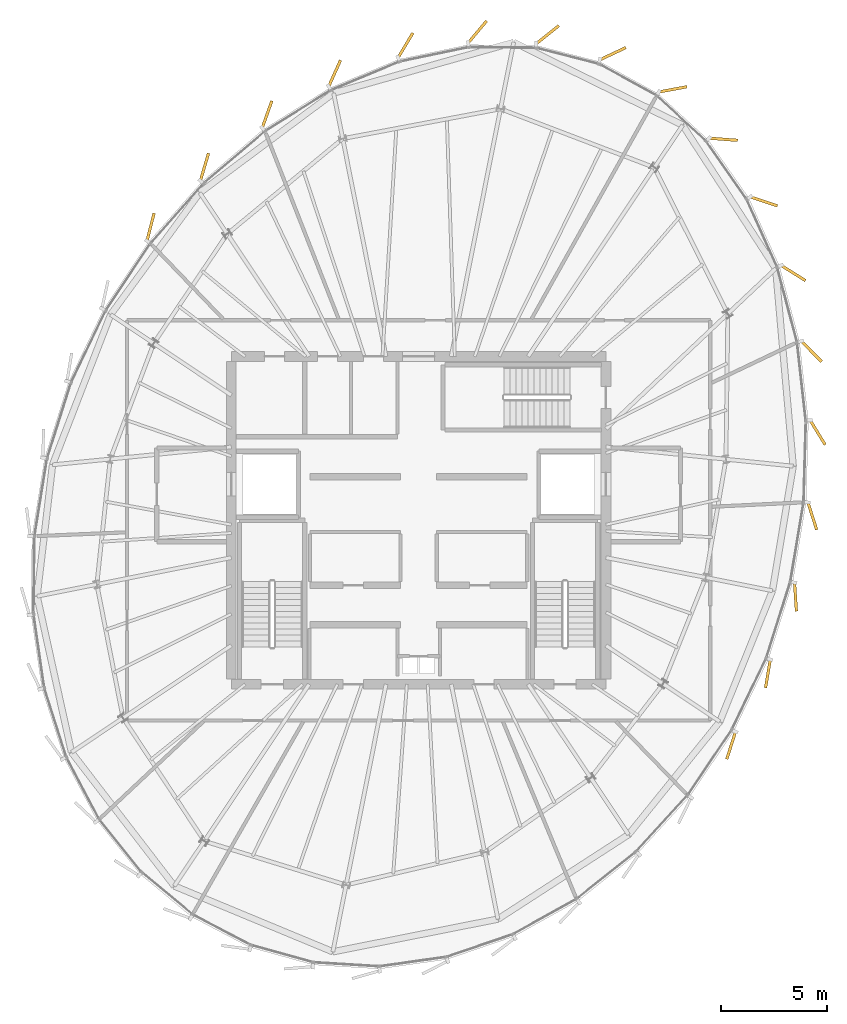
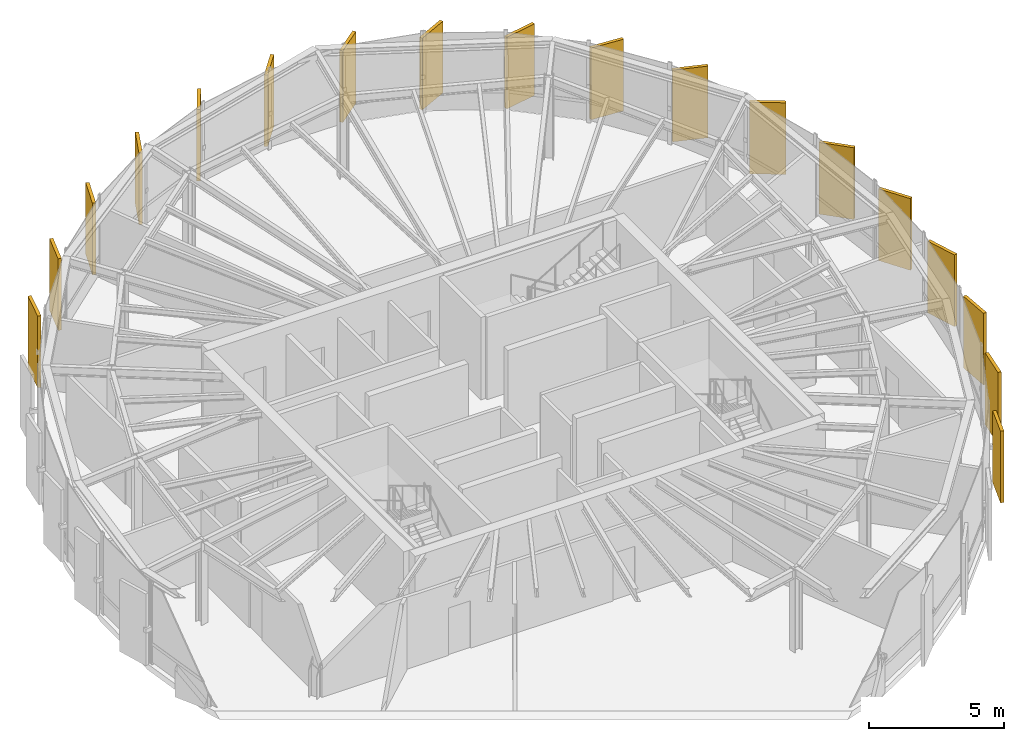
# One storey, part 27 of 27: 18 coverings.
"""IFC4 building model written with IfcOpenShell, lengths in metres."""

import ifcopenshell
import ifcopenshell.guid

model = None  # the IFC model being written
_history = None  # IfcOwnerHistory: only IFC2X3 demands one
_inside = {}  # id of a spatial element -> (the spatial element, [elements in it])
_under = {}  # id of a project, library or spatial element -> (it, [spatial elements below it])
_declared = {}  # id of a project -> (the project, [libraries it declares])
_typed = {}  # id of a type object -> (the type object, [elements of that type])
_made_of = {}  # id of a material, layer set ... -> (it, [elements and type objects made of it])


def new_model(schema):
    """Start an empty IFC model of exactly this schema.

    Asked for "IFC4X3", IfcOpenShell would pick the latest addendum, in which some entities
    have other attributes; the version numbers below select the first issue.
    IFC2X3 requires an IfcOwnerHistory on every rooted entity: one is made here for all.
    """
    global model, _history
    if schema == "IFC4X3":
        model = ifcopenshell.file(schema_version=(4, 3, 0, 0))
    else:
        model = ifcopenshell.file(schema=schema)
    _inside.clear()
    _under.clear()
    _declared.clear()
    _typed.clear()
    _made_of.clear()
    _history = None
    if model.schema == "IFC2X3":
        org = make("IfcOrganization", Name="unknown")
        user = make(
            "IfcPersonAndOrganization",
            ThePerson=make("IfcPerson", FamilyName="unknown"),
            TheOrganization=org,
        )
        app = make(
            "IfcApplication",
            ApplicationDeveloper=org,
            Version="unknown",
            ApplicationFullName="unknown",
            ApplicationIdentifier="unknown",
        )
        _history = make(
            "IfcOwnerHistory",
            OwningUser=user,
            OwningApplication=app,
            ChangeAction="ADDED",
            CreationDate=0,
        )
    return model


def make(cls, **values):
    """One entity of the class cls with the attributes given. An attribute that is None is left unset."""
    return model.create_entity(
        cls, **{name: value for name, value in values.items() if value is not None}
    )


def rooted(cls, **values):
    """An entity with a GlobalId (a new one), such as an element, a storey or a relation."""
    return make(cls, GlobalId=ifcopenshell.guid.new(), OwnerHistory=_history, **values)


def si_unit(unit_type, name, prefix=None):
    """IfcSIUnit, for example si_unit("LENGTHUNIT", "METRE", prefix="MILLI")."""
    return make("IfcSIUnit", UnitType=unit_type, Prefix=prefix, Name=name)


def assignment(units):
    """IfcUnitAssignment: the units of a project."""
    return None if units is None else make("IfcUnitAssignment", Units=units)


def point(xyz):
    """IfcCartesianPoint."""
    return None if xyz is None else make("IfcCartesianPoint", Coordinates=xyz)


def direction(xyz):
    """IfcDirection."""
    return None if xyz is None else make("IfcDirection", DirectionRatios=xyz)


def frame(location, z_axis=None, x_axis=None):
    """IfcAxis2Placement3D, a coordinate frame: its origin and axes. An axis left out is left unset."""
    return make(
        "IfcAxis2Placement3D",
        Location=point(location),
        Axis=direction(z_axis),
        RefDirection=direction(x_axis),
    )


def frame_2d(location, x_axis=None):
    """IfcAxis2Placement2D, a coordinate frame in the plane: its origin and x axis."""
    return make(
        "IfcAxis2Placement2D", Location=point(location), RefDirection=direction(x_axis)
    )


def origin():
    """The frame at (0, 0, 0) with its axes left unset."""
    return frame((0.0, 0.0, 0.0))


def origin_2d():
    """The frame at (0, 0) in the plane with its x axis left unset."""
    return frame_2d((0.0, 0.0))


def place(relative_to, where):
    """IfcLocalPlacement: puts the frame where relative to a parent placement (None: the world)."""
    return make(
        "IfcLocalPlacement", PlacementRelTo=relative_to, RelativePlacement=where
    )


def context(
    kind, dimensions, precision=None, world=None, true_north=None, identifier=None
):
    """IfcGeometricRepresentationContext, for example the 3D "Model" context."""
    return make(
        "IfcGeometricRepresentationContext",
        ContextIdentifier=identifier,
        ContextType=kind,
        CoordinateSpaceDimension=dimensions,
        Precision=precision,
        WorldCoordinateSystem=world,
        TrueNorth=true_north,
    )


def subcontext(parent, identifier, kind, view, scale=None):
    """IfcGeometricRepresentationSubContext, for example "Body" below "Model"."""
    return make(
        "IfcGeometricRepresentationSubContext",
        ContextIdentifier=identifier,
        ContextType=kind,
        ParentContext=parent,
        TargetScale=scale,
        TargetView=view,
    )


def project(units=None, contexts=None):
    """IfcProject with its units and contexts."""
    return rooted(
        "IfcProject",
        Name="project",
        RepresentationContexts=contexts,
        UnitsInContext=assignment(units),
    )


def spatial(cls, under=None, at=None, **own):
    """A site, building, storey or space (cls), placed at a placement, below another one or the project."""
    s = rooted(cls, ObjectPlacement=at, **own)
    if under is not None:
        _under.setdefault(under.id(), (under, []))[1].append(s)
    return s


def profile(cls, at=None, kind="AREA", **sizes):
    """A parametric profile (cls). Its sizes go by their IFC names, for example OverallWidth=200.0."""
    return make(cls, ProfileType=kind, Position=at, **sizes)


def rectangle(**sizes):
    """IfcRectangleProfileDef."""
    return profile("IfcRectangleProfileDef", **sizes)


def extrude(swept, where, along, depth):
    """IfcExtrudedAreaSolid: the profile swept, set in the frame where, extruded along a direction by depth."""
    return make(
        "IfcExtrudedAreaSolid",
        SweptArea=swept,
        Position=where,
        ExtrudedDirection=direction(along),
        Depth=depth,
    )


def shape(context_of_items, identifier, shape_type, items):
    """IfcShapeRepresentation: the items that make up one representation, for example the "Body"."""
    return make(
        "IfcShapeRepresentation",
        ContextOfItems=context_of_items,
        RepresentationIdentifier=identifier,
        RepresentationType=shape_type,
        Items=items,
    )


def source(mapping_origin, context_of_items, identifier, shape_type, items):
    """IfcRepresentationMap: a shape defined once, which mapped items show again and again."""
    return make(
        "IfcRepresentationMap",
        MappingOrigin=mapping_origin,
        MappedRepresentation=shape(context_of_items, identifier, shape_type, items),
    )


def transform(
    local_origin,
    x_axis=None,
    y_axis=None,
    z_axis=None,
    scale=None,
    scale2=None,
    scale3=None,
    uniform=True,
):
    """IfcCartesianTransformationOperator3D, or its non-uniform kind. x_axis, y_axis, z_axis: its Axis1, 2, 3."""
    if uniform:
        return make(
            "IfcCartesianTransformationOperator3D",
            Axis1=direction(x_axis),
            Axis2=direction(y_axis),
            LocalOrigin=point(local_origin),
            Scale=scale,
            Axis3=direction(z_axis),
        )
    return make(
        "IfcCartesianTransformationOperator3DnonUniform",
        Axis1=direction(x_axis),
        Axis2=direction(y_axis),
        LocalOrigin=point(local_origin),
        Scale=scale,
        Axis3=direction(z_axis),
        Scale2=scale2,
        Scale3=scale3,
    )


def mapped(mapping_source, mapping_target):
    """IfcMappedItem: shows the shape of a source again, moved by a transform."""
    return make(
        "IfcMappedItem", MappingSource=mapping_source, MappingTarget=mapping_target
    )


def material(Name=None, Category=None):
    """IfcMaterial."""
    return make("IfcMaterial", Name=Name, Category=Category)


def layer(
    of_material, thickness, ventilated=None, Name=None, Category=None, Priority=None
):
    """IfcMaterialLayer: one layer of a wall or slab, of a material (None: an air gap)."""
    return make(
        "IfcMaterialLayer",
        Material=of_material,
        LayerThickness=thickness,
        IsVentilated=ventilated,
        Name=Name,
        Category=Category,
        Priority=Priority,
    )


def layer_set(layers, Name=None):
    """IfcMaterialLayerSet."""
    return make("IfcMaterialLayerSet", MaterialLayers=layers, LayerSetName=Name)


def made_of(thing, what):
    """Note that an element or type object is made of a material, layer set ...; save() writes the relation."""
    if what is not None:
        _made_of.setdefault(what.id(), (what, []))[1].append(thing)
    return thing


def type_object(cls, material=None, **own):
    """A type object (cls), such as IfcWallType, which elements share."""
    return made_of(rooted(cls, **own), material)


def element(
    cls,
    number,
    at=None,
    inside=None,
    cuts=None,
    type_object=None,
    material=None,
    context=None,
    identifier="Body",
    shape_type=None,
    held_by="IfcProductDefinitionShape",
    body=None,
    shapes=None,
    **own,
):
    """One element of the class cls, such as IfcWall. Its Tag is "e" and its number.

    at: its placement. inside: the storey or other place that contains it. cuts: it is an
    opening in that element (IfcRelVoidsElement). A single representation is given by context,
    identifier, shape_type and body (its items); several are given by shapes. held_by: the class
    of the entity that holds the representations. save() writes the other relations.
    """
    e = rooted(cls, Tag="e%d" % number, ObjectPlacement=at, **own)
    if body is not None:
        shapes = [shape(context, identifier, shape_type, body)]
    if shapes is not None:
        e.Representation = make(held_by, Representations=shapes)
    if inside is not None:
        _inside.setdefault(inside.id(), (inside, []))[1].append(e)
    if cuts is not None:
        rooted(
            "IfcRelVoidsElement", RelatingBuildingElement=cuts, RelatedOpeningElement=e
        )
    if type_object is not None:
        _typed.setdefault(type_object.id(), (type_object, []))[1].append(e)
    return made_of(e, material)


def aggregate(whole, parts):
    """IfcRelAggregates: a whole, such as a stair, and the parts it consists of."""
    return rooted("IfcRelAggregates", RelatingObject=whole, RelatedObjects=parts)


def save(model, path):
    """Write the relations noted so far, then the file.

    IfcRelAggregates (storeys below a building ...), IfcRelContainedInSpatialStructure (elements
    in a storey), IfcRelDefinesByType, IfcRelAssociatesMaterial and IfcRelDeclares: one each for
    every whole, place, type object, material and project.
    """
    for whole, parts in _under.values():
        aggregate(whole, parts)
    for where, things in _inside.values():
        rooted(
            "IfcRelContainedInSpatialStructure",
            RelatedElements=things,
            RelatingStructure=where,
        )
    for kind, things in _typed.values():
        rooted("IfcRelDefinesByType", RelatedObjects=things, RelatingType=kind)
    for what, things in _made_of.values():
        rooted("IfcRelAssociatesMaterial", RelatedObjects=things, RelatingMaterial=what)
    for by, libraries in _declared.values():
        rooted("IfcRelDeclares", RelatingContext=by, RelatedDefinitions=libraries)
    model.write(path)


model = new_model("IFC4")

# Units and contexts
model_context = context("Model", 3, precision=1e-05, world=origin(), true_north=direction((0.0, 1.0)))
body_context = subcontext(model_context, "Body", "Model", "MODEL_VIEW")
ifc_project = project(units=[si_unit("LENGTHUNIT", "METRE"), si_unit("AREAUNIT", "SQUARE_METRE"), si_unit("VOLUMEUNIT", "CUBIC_METRE"), si_unit("PLANEANGLEUNIT", "RADIAN"), si_unit("MASSUNIT", "GRAM", prefix="KILO"), si_unit("THERMODYNAMICTEMPERATUREUNIT", "KELVIN")], contexts=[model_context])

# Site, building, storey
site_placement = place(None, origin())
site = spatial("IfcSite", under=ifc_project, at=site_placement, CompositionType="ELEMENT")
building_placement = place(site_placement, origin())
building = spatial("IfcBuilding", under=site, at=building_placement, Name="Kethvar Cultural Tower", CompositionType="ELEMENT")
storey_placement = place(building_placement, frame((0.0, 0.0, 308.300048828125)))
storey = spatial("IfcBuildingStorey", under=building, at=storey_placement, Name="L82", CompositionType="ELEMENT", Elevation=308.300048828125)

# Coverings
ifc_material = material(Name="Extruded Architectural Terracotta", Category="masonry")
ifc_layer = layer(ifc_material, 0.135009765625, Name="Extruded Architectural Terracotta", Category="masonry")
ifc_layer_set = layer_set([ifc_layer], Name="Extruded Architectural Terracotta (135 mm)")
covering_type = type_object("IfcCoveringType", Name="Terracotta Facade Fin FIN-03", PredefinedType="CLADDING", material=ifc_layer_set)
shared_shape = source(origin(), body_context, "Body", "SweptSolid", [
    extrude(rectangle(XDim=1.35009765625, YDim=0.135009765625, at=origin_2d()), origin(), (0.0, 0.0, 1.0), 3.25),
])
for number, where, z_axis, x_axis, name in (
    (1, (55.919921875, 49.7216796875, 0.02001953125), (0.0, 0.0, 1.0), (0.904380681389, 0.426726590606, 0.0), "L82 Vertical Terracotta Fin 1.1"),
    (2, (52.859619140625, 50.6181640625, 0.02001953125), (0.0, 0.0, 1.0), (0.779775226961, 0.62605957817, 0.0), "L82 Vertical Terracotta Fin 1.2"),
    (3, (49.55908203125, 50.744873046875, 0.02001953125), (0.0, 0.0, 1.0), (0.640913892983, 0.767612781148, 0.0), "L82 Vertical Terracotta Fin 1.3"),
    (4, (46.182861328125, 50.117431640625, 0.02001953125), (0.0, 0.0, 1.0), (0.513391483659, 0.858154522511, 0.0), "L82 Vertical Terracotta Fin 1.4"),
    (5, (42.851318359375, 48.797607421875, 0.02001953125), (0.0, 0.0, 1.0), (0.410400562604, 0.911905355952, 0.0), "L82 Vertical Terracotta Fin 1.5"),
    (6, (39.677734375, 46.8701171875, 0.02001953125), (0.0, 0.0, 1.0), (0.334629341909, 0.94234983076, 0.0), "L82 Vertical Terracotta Fin 1.6"),
    (7, (36.73828125, 44.398681640625, 0.02001953125), (0.0, 0.0, 1.0), (0.283680636181, 0.958918816509, 0.0), "L82 Vertical Terracotta Fin 2.1"),
    (8, (34.204833984375, 41.578125, 0.02001953125), (0.0, 0.0, 1.0), (0.246660747381, 0.96910189129, 0.0), "L82 Vertical Terracotta Fin 2.2"),
    (9, (61.481201171875, 17.227783203125, 0.02001953125), (0.0, 0.0, 1.0), (-0.304033060925, -0.952661481254, 0.0), "L82 Vertical Terracotta Fin 5.3"),
    (10, (63.207763671875, 20.599853515625, 0.02001953125), (0.0, 0.0, 1.0), (-0.165391874421, -0.986227928968, 0.0), "L82 Vertical Terracotta Fin 5.4"),
    (11, (64.50341796875, 24.20361328125, 0.02001953125), (0.0, 0.0, 1.0), (0.0662739004, -0.997801468292, 0.0), "L82 Vertical Terracotta Fin 5.5"),
    (12, (65.294189453125, 27.99951171875, 0.02001953125), (0.0, 0.0, 1.0), (0.30552912238, -0.952182732136, 0.0), "L82 Vertical Terracotta Fin 5.6"),
    (13, (65.543212890625, 31.9296875, 0.02001953125), (0.0, 0.0, 1.0), (0.523837243597, -0.851818373963, 0.0), "L82 Vertical Terracotta Fin 6.1"),
    (14, (65.24951171875, 35.74072265625, 0.02001953125), (0.0, 0.0, 1.0), (0.705500588065, -0.7087093341, 0.0), "L82 Vertical Terracotta Fin 6.2"),
    (15, (64.401123046875, 39.42041015625, 0.02001953125), (0.0, 0.0, 1.0), (0.848510214982, -0.529179000974, 0.0), "L82 Vertical Terracotta Fin 6.3"),
    (16, (63.01611328125, 42.7861328125, 0.02001953125), (0.0, 0.0, 1.0), (0.948544944527, -0.316642524327, 0.0), "L82 Vertical Terracotta Fin 6.4"),
    (17, (61.117919921875, 45.70361328125, 0.02001953125), (0.0, 0.0, 1.0), (0.997211245286, -0.074630638989, 0.0), "L82 Vertical Terracotta Fin 6.5"),
    (18, (58.745361328125, 48.048095703125, 0.02001953125), (0.0, 0.0, 1.0), (0.983127443564, 0.182921922448, 0.0), "L82 Vertical Terracotta Fin 6.6"),
):
    element("IfcCovering", number, at=place(storey_placement, frame(where, z_axis=z_axis, x_axis=x_axis)), inside=storey, type_object=covering_type, Name=name, PredefinedType="CLADDING", context=body_context, shape_type="MappedRepresentation", body=[
        mapped(shared_shape, transform((0.0, 0.0, 0.0), scale=1.0)),
    ])

save(model, "model.ifc")
